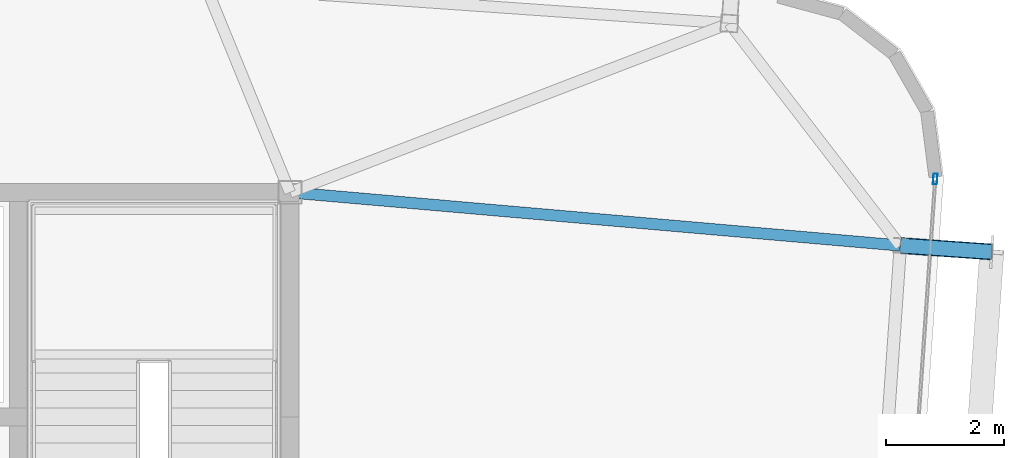
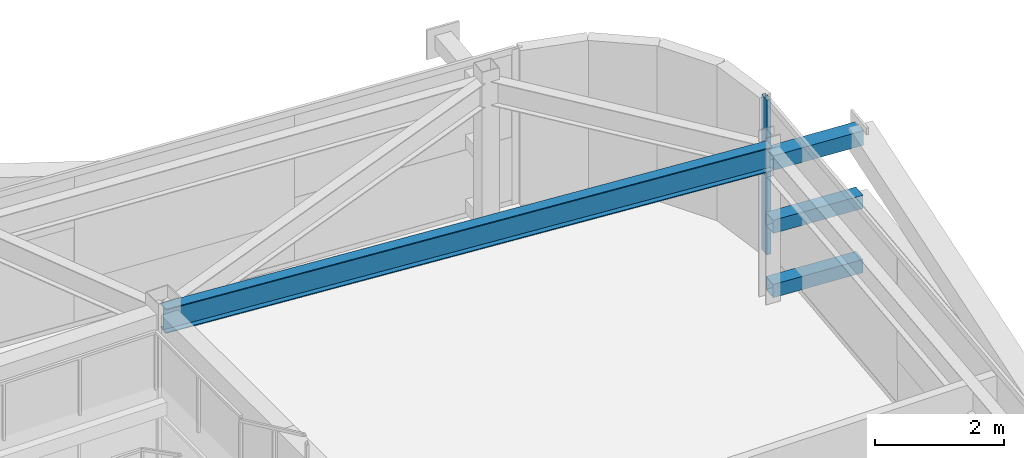
# One storey, part 18 of 39: 4 members, 1 beam, 1 element without a shape of its own.
"""IFC4 building model written with IfcOpenShell, lengths in metres."""

from ifc_helpers import new_model, si_unit, direction, frame, origin, origin_2d, place, context, subcontext, project, spatial, hollow_rectangle, i_section, extrude, source, transform, mapped, material, layer, layer_set, material_profile, profile_set, type_object, element, aggregate, save


model = new_model("IFC4")

# Units and contexts
model_context = context("Model", 3, precision=1e-05, world=origin(), true_north=direction((0.0, 1.0)))
body_context = subcontext(model_context, "Body", "Model", "MODEL_VIEW")
ifc_project = project(units=[si_unit("LENGTHUNIT", "METRE"), si_unit("AREAUNIT", "SQUARE_METRE"), si_unit("VOLUMEUNIT", "CUBIC_METRE"), si_unit("PLANEANGLEUNIT", "RADIAN"), si_unit("MASSUNIT", "GRAM", prefix="KILO")], contexts=[model_context])

# Site, building, storey
site_placement = place(None, origin())
site = spatial("IfcSite", under=ifc_project, at=site_placement, CompositionType="ELEMENT")
building_placement = place(site_placement, origin())
building = spatial("IfcBuilding", under=site, at=building_placement, Name="Taldren Reach Tower", CompositionType="ELEMENT")
storey_placement = place(building_placement, frame((0.0, 0.0, 123.550048828125)))
storey = spatial("IfcBuildingStorey", under=building, at=storey_placement, Name="L37", CompositionType="ELEMENT", Elevation=123.550048828125)

# Members
ifc_material_1 = material(Name="Steel Gr 450 (C450L0)", Category="steel")
ifc_material_profile_1 = material_profile(ifc_material_1, hollow_rectangle(XDim=0.27490234375, YDim=0.27490234375, WallThickness=0.00927734375, at=origin_2d()), Name="275x275x9.3SHS")
ifc_profile_set_1 = profile_set([ifc_material_profile_1], Name="Steel Gr 450 (C450L0)")
member_type_1 = type_object("IfcMemberType", Name="MB-TIE273", PredefinedType="STRUT", material=ifc_profile_set_1)
shared_shape_1 = source(origin(), body_context, "Body", "SweptSolid", [
    extrude(hollow_rectangle(XDim=0.27490234375, YDim=0.27490234375, WallThickness=0.00927734375, at=origin_2d()), origin(), (0.0, 0.0, 1.0), 1.550048828125),
])
member_1_placement = place(storey_placement, frame((61.3310546875, 31.1005859375, 2.64990234375), z_axis=(0.99756313426, -0.06976957191, 0.0), x_axis=(0.06976957191, 0.99756313426, 0.0)))
element("IfcMember", 1, at=member_1_placement, inside=storey, type_object=member_type_1, Name="Exoskeleton diaphragm tie strut B3-E3 L37", PredefinedType="STRUT", context=body_context, shape_type="MappedRepresentation", body=[
    mapped(shared_shape_1, transform((0.0, 0.0, 0.0), scale=1.0)),
])
ifc_material_2 = material(Name="Steel Gr 350 (C350L0)", Category="steel")
ifc_material_profile_2 = material_profile(ifc_material_2, hollow_rectangle(XDim=0.25, YDim=0.25, WallThickness=0.010009765625, at=origin_2d()), Name="250x250x10.0SHS")
ifc_profile_set_2 = profile_set([ifc_material_profile_2], Name="Steel Gr 350 (C350L0)")
member_type_2 = type_object("IfcMemberType", Name="MB-POST250", PredefinedType="POST", material=ifc_profile_set_2)
shared_shape_2 = source(origin(), body_context, "Body", "SweptSolid", [
    extrude(hollow_rectangle(XDim=0.25, YDim=0.25, WallThickness=0.010009765625, at=origin_2d()), origin(), (0.0, 0.0, 1.0), 1.550048828125),
])
for number, where, z_axis, x_axis, name in (
    (2, (61.3310546875, 31.1005859375, 0.219970703125), (0.99756313426, -0.06976957191, 0.0), (0.06976957191, 0.99756313426, 0.0), "Exoskeleton base diaphragm tie strut B3-E3 L37"),
    (3, (61.3310546875, 31.1005859375, 1.43505859375), (0.99756313426, -0.06976957191, 0.0), (0.06976957191, 0.99756313426, 0.0), "Exoskeleton mid-tier diaphragm tie B3-E3 L37"),
):
    element("IfcMember", number, at=place(storey_placement, frame(where, z_axis=z_axis, x_axis=x_axis)), inside=storey, type_object=member_type_2, Name=name, PredefinedType="POST", context=body_context, shape_type="MappedRepresentation", body=[
        mapped(shared_shape_2, transform((0.0, 0.0, 0.0), scale=1.0)),
    ])

# Beam
ifc_material_3 = material(Name="Steel Gr 350 (350PLUS)", Category="steel")
ifc_material_profile_3 = material_profile(ifc_material_3, i_section(OverallWidth=0.19091796875, OverallDepth=0.4599609375, WebThickness=0.010009765625, FlangeThickness=0.01611328125, at=origin_2d()), Name="460UB82.1")
ifc_profile_set_3 = profile_set([ifc_material_profile_3], Name="Steel Gr 350 (350PLUS)")
beam_type = type_object("IfcBeamType", Name="BM-UB460A", PredefinedType="BEAM", material=ifc_profile_set_3)
shared_shape_3 = source(origin(), body_context, "Body", "SweptSolid", [
    extrude(i_section(OverallWidth=0.19091796875, OverallDepth=0.4599609375, WebThickness=0.010009765625, FlangeThickness=0.01611328125, at=origin_2d()), origin(), (0.0, 0.0, 1.0), 10.3701171875),
])
beam_placement = place(storey_placement, frame((51.0, 32.0, 2.699951171875), z_axis=(0.996231748992, -0.086731207186, 0.0), x_axis=(0.086731207186, 0.996231748992, 0.0)))
element("IfcBeam", 4, at=beam_placement, inside=storey, type_object=beam_type, Name="Primary floor girder B3-E3 L37", PredefinedType="BEAM", context=body_context, shape_type="MappedRepresentation", body=[
    mapped(shared_shape_3, transform((0.0, 0.0, 0.0), scale=1.0)),
])

# Curtain wall, member
ifc_material_4 = material(Name="Aluminium and Low-E Glass Unitised System", Category="aluminium")
ifc_layer = layer(ifc_material_4, 0.159912109375)
ifc_layer_set = layer_set([ifc_layer], Name="Aluminium and Low-E Glass Unitised System")
curtain_wall_type = type_object("IfcCurtainWallType", Name="CW-SYS-4", PredefinedType="NOTDEFINED", material=ifc_layer_set)
curtain_wall_placement = place(storey_placement, origin())
curtain_wall = element("IfcCurtainWall", 5, at=curtain_wall_placement, inside=storey, type_object=curtain_wall_type, Name="Unitised curtain wall CW-L37-E", PredefinedType="NOTDEFINED")
ifc_material_5 = material(Name="Anodised Aluminium 6063-T6", Category="aluminium")
ifc_material_profile_4 = material_profile(ifc_material_5, hollow_rectangle(XDim=0.070068359375, YDim=0.179931640625, WallThickness=0.00390625, at=origin_2d()), Name="ALU-180x70x4RHS")
ifc_profile_set_4 = profile_set([ifc_material_profile_4], Name="Anodised Aluminium 6063-T6")
member_type_3 = type_object("IfcMemberType", Name="CW-MUL-180", PredefinedType="MULLION", material=ifc_profile_set_4)
shared_shape_4 = source(origin(), body_context, "Body", "SweptSolid", [
    extrude(hollow_rectangle(XDim=0.070068359375, YDim=0.179931640625, WallThickness=0.00390625, at=origin_2d()), origin(), (0.0, 0.0, 1.0), 2.929931640625),
])
member_2_placement = place(storey_placement, frame((61.921142578125, 32.22705078125, 0.0), z_axis=(0.0, 0.0, 1.0), x_axis=(-0.997564052812, 0.069756437251, 0.0)))
member_2 = element("IfcMember", 6, at=member_2_placement, type_object=member_type_3, Name="CW-4 mullion 3", PredefinedType="MULLION", context=body_context, shape_type="MappedRepresentation", body=[
    mapped(shared_shape_4, transform((0.0, 0.0, 0.0), scale=1.0)),
])
aggregate(curtain_wall, [member_2])

save(model, "model.ifc")
